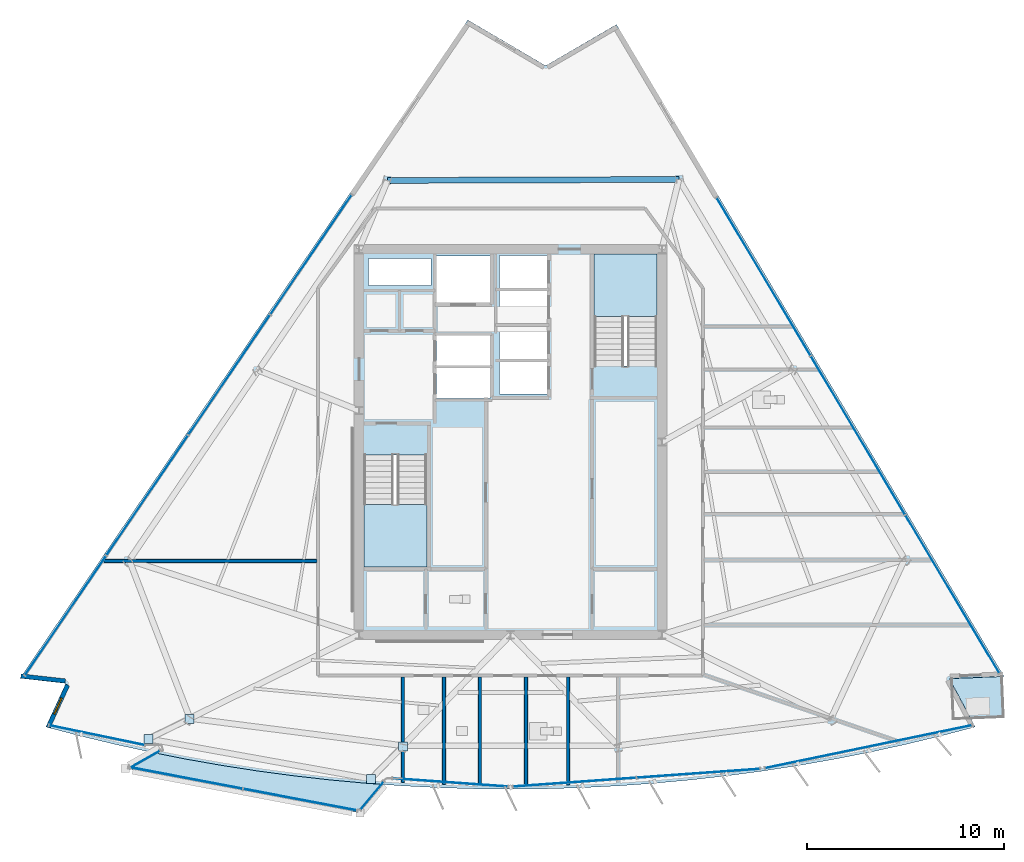
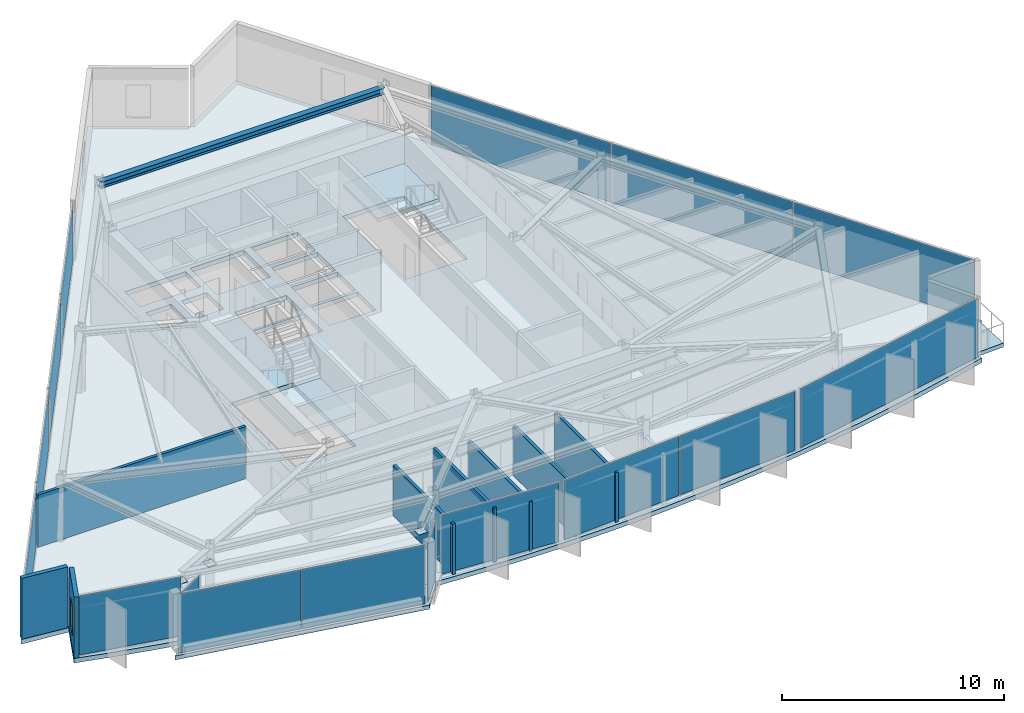
# One storey, part 6 of 14: 20 plates, 8 walls, 5 slabs, 1 beam, 1 window, 1 opening, 11 elements without a shape of their own.
"""IFC4 building model written with IfcOpenShell, lengths in metres."""

from ifc_helpers import new_model, si_unit, direction, frame, frame_2d, origin, origin_2d, place, context, subcontext, project, spatial, polyline, rectangle, i_section, outline, extrude, material, layer, layer_set, material_profile, profile_set, type_object, element, fill, aggregate, save


model = new_model("IFC4")

# Units and contexts
model_context = context("Model", 3, precision=1e-05, world=origin(), true_north=direction((0.0, 1.0)))
body_context = subcontext(model_context, "Body", "Model", "MODEL_VIEW")
ifc_project = project(units=[si_unit("LENGTHUNIT", "METRE"), si_unit("AREAUNIT", "SQUARE_METRE"), si_unit("VOLUMEUNIT", "CUBIC_METRE"), si_unit("PLANEANGLEUNIT", "RADIAN"), si_unit("MASSUNIT", "GRAM", prefix="KILO")], contexts=[model_context])

# Site, building, storey
site_placement = place(None, origin())
site = spatial("IfcSite", under=ifc_project, at=site_placement, CompositionType="ELEMENT")
building_placement = place(site_placement, origin())
building = spatial("IfcBuilding", under=site, at=building_placement, Name="Savorim Split Tower", CompositionType="ELEMENT")
storey_placement = place(building_placement, frame((0.0, 0.0, 227.10009765625)))
storey = spatial("IfcBuildingStorey", under=building, at=storey_placement, Name="L60", CompositionType="ELEMENT", Elevation=227.10009765625)

# Beam
ifc_material_1 = material(Name="Steel S355", Category="steel")
ifc_material_profile = material_profile(ifc_material_1, i_section(OverallWidth=0.300048828125, OverallDepth=0.35009765625, WebThickness=0.010009765625, FlangeThickness=0.017578125, FilletRadius=0.027099609375, at=origin_2d()), Name="HEA 360")
ifc_profile_set = profile_set([ifc_material_profile], Name="Steel S355")
beam_type = type_object("IfcBeamType", Name="BM-SPN-HEA360", PredefinedType="SPANDREL", material=ifc_profile_set)
beam_placement = place(storey_placement, frame((8.561279296875, 13.746826171875, 3.1748046875), z_axis=(-0.99999456544, -0.003296830296, 0.0), x_axis=(0.003296830296, -0.99999456544, 0.0)))
element("IfcBeam", 1, at=beam_placement, inside=storey, type_object=beam_type, Name="L60 Perimeter Spandrel Beam 7", PredefinedType="SPANDREL", context=body_context, shape_type="SweptSolid", body=[
    extrude(i_section(OverallWidth=0.300048828125, OverallDepth=0.35009765625, WebThickness=0.010009765625, FlangeThickness=0.017578125, FilletRadius=0.027099609375, at=origin_2d()), origin(), (0.0, 0.0, 1.0), 14.810546875),
])

# Curtain wall, plate
ifc_material_2 = material(Name="Dark Ceramic-Fritted Insulated Glass", Category="glass")
curtain_wall_type_1 = type_object("IfcCurtainWallType", Name="CW-TWR-FRIT-B", PredefinedType="NOTDEFINED", material=ifc_material_2)
curtain_wall_1_placement = place(storey_placement, origin())
curtain_wall_1 = element("IfcCurtainWall", 2, at=curtain_wall_1_placement, inside=storey, type_object=curtain_wall_type_1, Name="L60 Curtain Wall CW-L60-SF1A", PredefinedType="NOTDEFINED")
ifc_layer_1 = layer(ifc_material_2, 0.02587890625)
ifc_layer_set_1 = layer_set([ifc_layer_1], Name="CWP-FRITB-26")
plate_type_1 = type_object("IfcPlateType", Name="CWP-FRITB-26", PredefinedType="CURTAIN_PANEL", material=ifc_layer_set_1)
plate_1_placement = place(storey_placement, frame((-21.02978515625, -14.508056640625, 0.0498046875), z_axis=(0.0, 0.0, 1.0), x_axis=(0.979134728016, -0.203212165958, 0.0)))
plate_1 = element("IfcPlate", 3, at=plate_1_placement, type_object=plate_type_1, Name="CW-03 panel 1.1", PredefinedType="CURTAIN_PANEL", context=body_context, shape_type="SweptSolid", body=[
    extrude(rectangle(XDim=4.938720703125, YDim=0.02587890625, at=origin_2d()), origin(), (0.0, 0.0, 1.0), 3.25),
])
aggregate(curtain_wall_1, [plate_1])

curtain_wall_2_placement = place(storey_placement, origin())
curtain_wall_2 = element("IfcCurtainWall", 4, at=curtain_wall_2_placement, inside=storey, type_object=curtain_wall_type_1, Name="L60 Curtain Wall CW-L60-SF2A", PredefinedType="NOTDEFINED")
plate_2_placement = place(storey_placement, frame((-3.0654296875, -16.91259765625, 0.0498046875), z_axis=(0.0, 0.0, 1.0), x_axis=(0.997435751346, -0.071567603964, 0.0)))
plate_2 = element("IfcPlate", 5, at=plate_2_placement, type_object=plate_type_1, Name="CW-03 panel 1.1", PredefinedType="CURTAIN_PANEL", context=body_context, shape_type="SweptSolid", body=[
    extrude(rectangle(XDim=5.843505859375, YDim=0.02587890625, at=origin_2d()), origin(), (0.0, 0.0, 1.0), 3.25),
])
aggregate(curtain_wall_2, [plate_2])

# Curtain wall, plates
curtain_wall_3_placement = place(storey_placement, origin())
curtain_wall_3 = element("IfcCurtainWall", 6, at=curtain_wall_3_placement, inside=storey, type_object=curtain_wall_type_1, Name="L60 Curtain Wall CW-L60-SF3A", PredefinedType="NOTDEFINED")
plate_3_placement = place(storey_placement, frame((3.263916015625, -16.8984375, 0.0498046875), z_axis=(0.0, 0.0, 1.0), x_axis=(0.997436283282, 0.071560189997, 0.0)))
plate_3 = element("IfcPlate", 7, at=plate_3_placement, type_object=plate_type_1, Name="CW-03 panel 1.1", PredefinedType="CURTAIN_PANEL", context=body_context, shape_type="SweptSolid", body=[
    extrude(rectangle(XDim=6.24169921875, YDim=0.02587890625, at=origin_2d()), origin(), (0.0, 0.0, 1.0), 3.25),
])
plate_4_placement = place(storey_placement, frame((9.549560546875, -16.447509765625, 0.0498046875), z_axis=(0.0, 0.0, 1.0), x_axis=(0.997436283282, 0.071560189997, 0.0)))
plate_4 = element("IfcPlate", 8, at=plate_4_placement, type_object=plate_type_1, Name="CW-03 panel 2.1", PredefinedType="CURTAIN_PANEL", context=body_context, shape_type="SweptSolid", body=[
    extrude(rectangle(XDim=6.24169921875, YDim=0.02587890625, at=origin_2d()), origin(), (0.0, 0.0, 1.0), 3.25),
])
aggregate(curtain_wall_3, [plate_3, plate_4])

# Curtain wall, plate
curtain_wall_4_placement = place(storey_placement, origin())
curtain_wall_4 = element("IfcCurtainWall", 9, at=curtain_wall_4_placement, inside=storey, type_object=curtain_wall_type_1, Name="L60 Curtain Wall CW-L60-SF4A", PredefinedType="NOTDEFINED")
plate_5_placement = place(storey_placement, frame((18.205322265625, -15.09423828125, 0.0498046875), z_axis=(0.0, 0.0, 1.0), x_axis=(0.979134184169, 0.203214786352, 0.0)))
plate_5 = element("IfcPlate", 10, at=plate_5_placement, type_object=plate_type_1, Name="CW-03 panel 1.1", PredefinedType="CURTAIN_PANEL", context=body_context, shape_type="SweptSolid", body=[
    extrude(rectangle(XDim=10.70849609375, YDim=0.02587890625, at=origin_2d()), origin(), (0.0, 0.0, 1.0), 3.25),
])
aggregate(curtain_wall_4, [plate_5])

# Curtain wall, plates
curtain_wall_5_placement = place(storey_placement, origin())
curtain_wall_5 = element("IfcCurtainWall", 11, at=curtain_wall_5_placement, inside=storey, type_object=curtain_wall_type_1, Name="L60 Curtain Wall CW-L60-EAST", PredefinedType="NOTDEFINED")
plate_6_placement = place(storey_placement, frame((22.467041015625, -7.335205078125, 0.0498046875), z_axis=(0.0, 0.0, 1.0), x_axis=(-0.51109620442, 0.859523513249, 0.0)))
plate_6 = element("IfcPlate", 12, at=plate_6_placement, type_object=plate_type_1, Name="CW-03 panel 1.1", PredefinedType="CURTAIN_PANEL", context=body_context, shape_type="SweptSolid", body=[
    extrude(rectangle(XDim=9.3125, YDim=0.02587890625, at=origin_2d()), origin(), (0.0, 0.0, 1.0), 3.25),
])
plate_7_placement = place(storey_placement, frame((17.669189453125, 0.733642578125, 0.0498046875), z_axis=(0.0, 0.0, 1.0), x_axis=(-0.51109620442, 0.859523513249, 0.0)))
plate_7 = element("IfcPlate", 13, at=plate_7_placement, type_object=plate_type_1, Name="CW-03 panel 2.1", PredefinedType="CURTAIN_PANEL", context=body_context, shape_type="SweptSolid", body=[
    extrude(rectangle(XDim=9.342529296875, YDim=0.02587890625, at=origin_2d()), origin(), (0.0, 0.0, 1.0), 3.25),
])
plate_8_placement = place(storey_placement, frame((12.871337890625, 8.802490234375, 0.0498046875), z_axis=(0.0, 0.0, 1.0), x_axis=(-0.51109620442, 0.859523513249, 0.0)))
plate_8 = element("IfcPlate", 14, at=plate_8_placement, type_object=plate_type_1, Name="CW-03 panel 3.1", PredefinedType="CURTAIN_PANEL", context=body_context, shape_type="SweptSolid", body=[
    extrude(rectangle(XDim=9.3125, YDim=0.02587890625, at=origin_2d()), origin(), (0.0, 0.0, 1.0), 3.25),
])
aggregate(curtain_wall_5, [plate_6, plate_7, plate_8])

curtain_wall_6_placement = place(storey_placement, origin())
curtain_wall_6 = element("IfcCurtainWall", 15, at=curtain_wall_6_placement, inside=storey, type_object=curtain_wall_type_1, Name="L60 Curtain Wall CW-L60-WEST", PredefinedType="NOTDEFINED")
plate_9_placement = place(storey_placement, frame((-10.14208984375, 9.923583984375, 0.0498046875), z_axis=(0.0, 0.0, 1.0), x_axis=(-0.562466573779, -0.826820024782, 0.0)))
plate_9 = element("IfcPlate", 16, at=plate_9_placement, type_object=plate_type_1, Name="CW-03 panel 1.1", PredefinedType="CURTAIN_PANEL", context=body_context, shape_type="SweptSolid", body=[
    extrude(rectangle(XDim=7.317626953125, YDim=0.02587890625, at=origin_2d()), origin(), (0.0, 0.0, 1.0), 3.25),
])
plate_10_placement = place(storey_placement, frame((-14.300048828125, 3.811279296875, 0.0498046875), z_axis=(0.0, 0.0, 1.0), x_axis=(-0.562466573779, -0.826820024782, 0.0)))
plate_10 = element("IfcPlate", 17, at=plate_10_placement, type_object=plate_type_1, Name="CW-03 panel 2.1", PredefinedType="CURTAIN_PANEL", context=body_context, shape_type="SweptSolid", body=[
    extrude(rectangle(XDim=7.347412109375, YDim=0.02587890625, at=origin_2d()), origin(), (0.0, 0.0, 1.0), 3.25),
])
plate_11_placement = place(storey_placement, frame((-18.466552734375, -2.313232421875, 0.0498046875), z_axis=(0.0, 0.0, 1.0), x_axis=(-0.562466573779, -0.826820024782, 0.0)))
plate_11 = element("IfcPlate", 18, at=plate_11_placement, type_object=plate_type_1, Name="CW-03 panel 3.1", PredefinedType="CURTAIN_PANEL", context=body_context, shape_type="SweptSolid", body=[
    extrude(rectangle(XDim=7.347412109375, YDim=0.02587890625, at=origin_2d()), origin(), (0.0, 0.0, 1.0), 3.25),
])
plate_12_placement = place(storey_placement, frame((-22.62451171875, -8.425537109375, 0.0498046875), z_axis=(0.0, 0.0, 1.0), x_axis=(-0.562466573779, -0.826820024782, 0.0)))
plate_12 = element("IfcPlate", 19, at=plate_12_placement, type_object=plate_type_1, Name="CW-03 panel 4.1", PredefinedType="CURTAIN_PANEL", context=body_context, shape_type="SweptSolid", body=[
    extrude(rectangle(XDim=7.317626953125, YDim=0.02587890625, at=origin_2d()), origin(), (0.0, 0.0, 1.0), 3.25),
])
aggregate(curtain_wall_6, [plate_9, plate_10, plate_11, plate_12])

curtain_wall_type_2 = type_object("IfcCurtainWallType", Name="CW-BAY-LOUNGE", PredefinedType="NOTDEFINED", material=ifc_material_2)
curtain_wall_7_placement = place(storey_placement, origin())
curtain_wall_7 = element("IfcCurtainWall", 20, at=curtain_wall_7_placement, inside=storey, type_object=curtain_wall_type_2, Name="L60 Curtain Wall CW-L60-BAYF", PredefinedType="NOTDEFINED")
ifc_material_3 = material(Name="Low-E Operable Double Glazing", Category="glass")
ifc_layer_2 = layer(ifc_material_3, 0.031982421875)
ifc_layer_set_2 = layer_set([ifc_layer_2], Name="CWP-POD-32")
plate_type_2 = type_object("IfcPlateType", Name="CWP-POD-32", PredefinedType="CURTAIN_PANEL", material=ifc_layer_set_2)
plate_13_placement = place(storey_placement, frame((-16.515625, -16.68310546875, 0.0546875), z_axis=(0.0, 0.0, 1.0), x_axis=(0.982442225458, -0.186567075437, 0.0)))
plate_13 = element("IfcPlate", 21, at=plate_13_placement, type_object=plate_type_2, Name="CW-04 panel 1.1", PredefinedType="CURTAIN_PANEL", context=body_context, shape_type="SweptSolid", body=[
    extrude(rectangle(XDim=5.859375, YDim=0.031982421875, at=origin_2d()), origin(), (0.0, 0.0, 1.0), 3.239990234375),
])
plate_14_placement = place(storey_placement, frame((-10.6953125, -17.788330078125, 0.0546875), z_axis=(0.0, 0.0, 1.0), x_axis=(0.982442225458, -0.186567075437, 0.0)))
plate_14 = element("IfcPlate", 22, at=plate_14_placement, type_object=plate_type_2, Name="CW-04 panel 2.1", PredefinedType="CURTAIN_PANEL", context=body_context, shape_type="SweptSolid", body=[
    extrude(rectangle(XDim=5.859375, YDim=0.031982421875, at=origin_2d()), origin(), (0.0, 0.0, 1.0), 3.239990234375),
])
aggregate(curtain_wall_7, [plate_13, plate_14])

# Curtain wall, plate
curtain_wall_8_placement = place(storey_placement, origin())
curtain_wall_8 = element("IfcCurtainWall", 23, at=curtain_wall_8_placement, inside=storey, type_object=curtain_wall_type_2, Name="L60 Curtain Wall CW-L60-BAYW", PredefinedType="NOTDEFINED")
plate_15_placement = place(storey_placement, frame((-18.570068359375, -15.72998046875, 0.0546875), z_axis=(0.0, 0.0, 1.0), x_axis=(-0.868135811554, -0.49632671971, 0.0)))
plate_15 = element("IfcPlate", 24, at=plate_15_placement, type_object=plate_type_2, Name="CW-04 panel 1.1", PredefinedType="CURTAIN_PANEL", context=body_context, shape_type="SweptSolid", body=[
    extrude(rectangle(XDim=1.705078125, YDim=0.031982421875, at=origin_2d()), origin(), (0.0, 0.0, 1.0), 3.239990234375),
])
aggregate(curtain_wall_8, [plate_15])

curtain_wall_9_placement = place(storey_placement, origin())
curtain_wall_9 = element("IfcCurtainWall", 25, at=curtain_wall_9_placement, inside=storey, type_object=curtain_wall_type_2, Name="L60 Curtain Wall CW-L60-BAYE", PredefinedType="NOTDEFINED")
plate_16_placement = place(storey_placement, frame((-7.040283203125, -17.58544921875, 0.0546875), z_axis=(0.0, 0.0, 1.0), x_axis=(0.645008298218, 0.764175565711, 0.0)))
plate_16 = element("IfcPlate", 26, at=plate_16_placement, type_object=plate_type_2, Name="CW-04 panel 1.1", PredefinedType="CURTAIN_PANEL", context=body_context, shape_type="SweptSolid", body=[
    extrude(rectangle(XDim=1.81005859375, YDim=0.031982421875, at=origin_2d()), origin(), (0.0, 0.0, 1.0), 3.239990234375),
])
aggregate(curtain_wall_9, [plate_16])

# Plates
ifc_material_4 = material(Name="Steel S460", Category="steel")
ifc_layer_3 = layer(ifc_material_4, 0.02490234375)
ifc_layer_set_3 = layer_set([ifc_layer_3], Name="PLT-NODE-CN1")
plate_type_3 = type_object("IfcPlateType", Name="PLT-NODE-CN1", PredefinedType="SHEET", material=ifc_layer_set_3)
for number, where, z_axis, x_axis, name in (
    (27, (-16.323486328125, -13.692138671875, 2.4375), (0.0, 0.0, 1.0), (1.0, 0.0, 0.0), "L60 Bay Strut Column Gusset Plate 1"),
    (28, (-18.40625, -14.695556640625, 2.807373046875), (0.0, 0.0, 1.0), (1.0, 0.0, 0.0), "L60 Bay Strut Tip Gusset Plate 1"),
    (29, (-5.470947265625, -15.085693359375, 2.4375), (0.0, 0.0, 1.0), (1.0, 0.0, 0.0), "L60 Bay Strut Column Gusset Plate 2"),
    (30, (-7.09716796875, -16.73388671875, 2.807373046875), (0.0, 0.0, 1.0), (1.0, 0.0, 0.0), "L60 Bay Strut Tip Gusset Plate 2"),
):
    element("IfcPlate", number, at=place(storey_placement, frame(where, z_axis=z_axis, x_axis=x_axis)), inside=storey, type_object=plate_type_3, Name=name, PredefinedType="SHEET", context=body_context, shape_type="SweptSolid", body=[
        extrude(rectangle(XDim=0.4599609375, YDim=0.4599609375, at=origin_2d()), origin(), (0.0, 0.0, 1.0), 0.02490234375),
    ])

# Slabs
ifc_material_5 = material(Name="Concrete C50/60", Category="concrete")
ifc_layer_4 = layer(ifc_material_5, 0.219970703125)
ifc_layer_set_4 = layer_set([ifc_layer_4], Name="SLB-BAL-220")
slab_type_1 = type_object("IfcSlabType", Name="SLB-BAL-220", PredefinedType="FLOOR", material=ifc_layer_set_4)
slab_1_placement = place(storey_placement, frame((0.0, 0.0, -0.22021484375)))
element("IfcSlab", 31, at=slab_1_placement, inside=storey, type_object=slab_type_1, Name="L60 Cantilevered Shared Kitchen Lounge Slab", PredefinedType="FLOOR", context=body_context, shape_type="SweptSolid", body=[
    extrude(outline(polyline([(-6.430419921875, -17.017822265625), (-7.3486328125, -16.951904296875), (-9.179931640625, -16.78271484375), (-11.007568359375, -16.576171875), (-12.83056640625, -16.332275390625), (-14.648193359375, -16.051025390625), (-16.45947265625, -15.73291015625), (-18.18310546875, -15.393310546875), (-19.59423828125, -16.2001953125), (-7.654052734375, -18.467529296875), (-6.430419921875, -17.017822265625)])), origin(), (0.0, 0.0, 1.0), 0.22021484375),
])
slab_2_placement = place(storey_placement, frame((0.0, 0.0, -0.22021484375)))
element("IfcSlab", 32, at=slab_2_placement, inside=storey, type_object=slab_type_1, Name="L60 Notched Corner Planted Tree Balcony Slab", PredefinedType="FLOOR", context=body_context, shape_type="SweptSolid", body=[
    extrude(outline(polyline([(24.973388671875, -11.52685546875), (22.430908203125, -11.635009765625), (22.44091796875, -11.86669921875), (23.392822265625, -13.640869140625), (25.060546875, -13.56982421875), (24.973388671875, -11.52685546875)])), origin(), (0.0, 0.0, 1.0), 0.22021484375),
])

# Stair, slab
stair_type = type_object("IfcStairType", Name="STR-DOG-3600", PredefinedType="HALF_TURN_STAIR", material=ifc_material_5)
stair_1_placement = place(storey_placement, origin())
stair_1 = element("IfcStair", 33, at=stair_1_placement, inside=storey, type_object=stair_type, Name="L60 Core Protected Exit Stair ST-1", PredefinedType="HALF_TURN_STAIR")
ifc_layer_5 = layer(ifc_material_5, 0.199951171875)
ifc_layer_set_5 = layer_set([ifc_layer_5], Name="SLB-LND-200")
slab_type_2 = type_object("IfcSlabType", Name="SLB-LND-200", PredefinedType="LANDING", material=ifc_layer_set_5)
slab_3_placement = place(storey_placement, frame((0.0, 0.0, 1.599853515625)))
slab_3 = element("IfcSlab", 34, at=slab_3_placement, type_object=slab_type_2, Name="ST-1 landing 1", PredefinedType="LANDING", context=body_context, shape_type="SweptSolid", body=[
    extrude(outline(polyline([(-7.449951171875, -2.77001953125), (-7.449951171875, -5.949951171875), (-4.25, -5.949951171875), (-4.25, -2.77001953125), (-7.449951171875, -2.77001953125)])), origin(), (0.0, 0.0, 1.0), 0.199951171875),
])
aggregate(stair_1, [slab_3])

stair_2_placement = place(storey_placement, origin())
stair_2 = element("IfcStair", 35, at=stair_2_placement, inside=storey, type_object=stair_type, Name="L60 Core Protected Exit Stair ST-2", PredefinedType="HALF_TURN_STAIR")
slab_4_placement = place(storey_placement, frame((0.0, 0.0, 1.599853515625)))
slab_4 = element("IfcSlab", 36, at=slab_4_placement, type_object=slab_type_2, Name="ST-2 landing 1", PredefinedType="LANDING", context=body_context, shape_type="SweptSolid", body=[
    extrude(outline(polyline([(7.449951171875, 6.77001953125), (7.449951171875, 9.949951171875), (4.25, 9.949951171875), (4.25, 6.77001953125), (7.449951171875, 6.77001953125)])), origin(), (0.0, 0.0, 1.0), 0.199951171875),
])
aggregate(stair_2, [slab_4])

# Slab
ifc_layer_6 = layer(ifc_material_5, 0.25)
ifc_layer_set_6 = layer_set([ifc_layer_6], Name="SLB-TWR-250")
slab_type_3 = type_object("IfcSlabType", Name="SLB-TWR-250", PredefinedType="FLOOR", material=ifc_layer_set_6)
slab_5_placement = place(storey_placement, frame((0.0, 0.0, -0.25)))
element("IfcSlab", 37, at=slab_5_placement, inside=storey, type_object=slab_type_3, Name="L60 Structural Floor Slab", PredefinedType="FLOOR", context=body_context, shape_type="SweptSolid", body=[
    extrude(outline(polyline([(-23.62890625, -14.09130859375), (-21.849609375, -14.556396484375), (-20.06103515625, -14.9853515625), (-18.26416015625, -15.37744140625), (-16.45947265625, -15.73291015625), (-14.648193359375, -16.051025390625), (-12.83056640625, -16.332275390625), (-11.007568359375, -16.576171875), (-9.179931640625, -16.78271484375), (-7.3486328125, -16.951904296875), (-5.51416015625, -17.08349609375), (-3.677490234375, -17.177490234375), (-1.839111328125, -17.23388671875), (0.0, -17.252685546875), (1.839111328125, -17.23388671875), (3.677490234375, -17.177490234375), (5.51416015625, -17.08349609375), (7.3486328125, -16.951904296875), (9.179931640625, -16.78271484375), (11.007568359375, -16.576171875), (12.83056640625, -16.332275390625), (14.648193359375, -16.051025390625), (16.45947265625, -15.73291015625), (18.26416015625, -15.37744140625), (20.06103515625, -14.9853515625), (21.849609375, -14.556396484375), (23.62890625, -14.09130859375), (22.310791015625, -11.635009765625), (25.09326171875, -11.5166015625), (5.38623046875, 21.625244140625), (1.788818359375, 19.528564453125), (-2.17041015625, 21.85546875), (-24.939208984375, -11.61474609375), (-22.6103515625, -11.874755859375), (-23.62890625, -14.09130859375)]), holes=[polyline([(-7.449951171875, -0.25390625), (-7.449951171875, -5.949951171875), (-4.25, -5.949951171875), (-4.25, -0.25390625), (-7.449951171875, -0.25390625)]), polyline([(7.449951171875, 4.25390625), (7.449951171875, 9.949951171875), (4.25, 9.949951171875), (4.25, 4.25390625), (7.449951171875, 4.25390625)]), polyline([(-0.550048828125, 2.830078125), (1.85009765625, 2.830078125), (1.85009765625, 4.469970703125), (-0.550048828125, 4.469970703125), (-0.550048828125, 2.830078125)]), polyline([(-0.550048828125, 4.6298828125), (1.85009765625, 4.6298828125), (1.85009765625, 6.27001953125), (-0.550048828125, 6.27001953125), (-0.550048828125, 4.6298828125)]), polyline([(-0.550048828125, 6.429931640625), (1.85009765625, 6.429931640625), (1.85009765625, 8.070068359375), (-0.550048828125, 8.070068359375), (-0.550048828125, 6.429931640625)]), polyline([(-0.550048828125, 8.22998046875), (1.85009765625, 8.22998046875), (1.85009765625, 9.8701171875), (-0.550048828125, 9.8701171875), (-0.550048828125, 8.22998046875)]), polyline([(-3.75, 2.60009765625), (-1.050048828125, 2.60009765625), (-1.050048828125, 4.159912109375), (-3.75, 4.159912109375), (-3.75, 2.60009765625)]), polyline([(-3.75, 4.280029296875), (-1.050048828125, 4.280029296875), (-1.050048828125, 5.840087890625), (-3.75, 5.840087890625), (-3.75, 4.280029296875)]), polyline([(-3.75, 7.449951171875), (-0.949951171875, 7.449951171875), (-0.949951171875, 9.85009765625), (-3.75, 9.85009765625), (-3.75, 7.449951171875)]), polyline([(-7.219970703125, 6.320068359375), (-5.919921875, 6.320068359375), (-5.919921875, 7.820068359375), (-7.219970703125, 7.820068359375), (-7.219970703125, 6.320068359375)]), polyline([(-5.3798828125, 6.320068359375), (-4.050048828125, 6.320068359375), (-4.050048828125, 7.820068359375), (-5.3798828125, 7.820068359375), (-5.3798828125, 6.320068359375)]), polyline([(-7.219970703125, 8.360107421875), (-4.050048828125, 8.360107421875), (-4.050048828125, 9.719970703125), (-7.219970703125, 9.719970703125), (-7.219970703125, 8.360107421875)])]), origin(), (0.0, 0.0, 1.0), 0.25),
])

# Wall
ifc_material_6 = material(Name="Precast concrete C40/50", Category="concrete")
ifc_layer_7 = layer(ifc_material_6, 0.219970703125)
ifc_layer_set_7 = layer_set([ifc_layer_7], Name="WAL-EXT-CRN220")
wall_type_1 = type_object("IfcWallType", Name="WAL-EXT-CRN220", PredefinedType="SOLIDWALL", material=ifc_layer_set_7)
wall_1_placement = place(storey_placement, frame((-22.63671875, -11.751220703125, 0.0), z_axis=(0.0, 0.0, 1.0), x_axis=(-0.993821756753, 0.110987908368, 0.0)))
element("IfcWall", 38, at=wall_1_placement, inside=storey, type_object=wall_type_1, Name="L60 Notched Corner Facade Wall SW1", PredefinedType="SOLIDWALL", context=body_context, shape_type="SweptSolid", body=[
    extrude(rectangle(XDim=2.263427734375, YDim=0.219970703125, at=frame_2d((1.1318359375, 0.0))), origin(), (0.0, 0.0, 1.0), 3.349853515625),
])

# Wall, opening, window
wall_2_placement = place(storey_placement, frame((-23.503173828125, -14.10498046875, 0.0), z_axis=(0.0, 0.0, 1.0), x_axis=(0.417541737863, 0.908657744777, 0.0)))
wall_2 = element("IfcWall", 39, at=wall_2_placement, inside=storey, type_object=wall_type_1, Name="L60 Notched Corner Facade Wall SW", PredefinedType="SOLIDWALL", context=body_context, shape_type="SweptSolid", body=[
    extrude(rectangle(XDim=2.359375, YDim=0.219970703125, at=frame_2d((1.1796875, 0.0))), origin(), (0.0, 0.0, 1.0), 3.349853515625),
])
opening_placement = place(wall_2_placement, frame((0.7294921875, 0.0, 0.6201171875)))
opening = element("IfcOpeningElement", 40, at=opening_placement, cuts=wall_2, Name="Opening WN-10", PredefinedType="OPENING", context=body_context, shape_type="SweptSolid", body=[
    extrude(rectangle(XDim=0.89990234375, YDim=1.60009765625, at=frame_2d((0.449951171875, 0.800048828125))), frame((0.0, 0.119873046875, 0.0), z_axis=(0.0, -1.0, 0.0), x_axis=(1.0, 0.0, 0.0)), (0.0, 0.0, 1.0), 0.239990234375),
])
window_type = type_object("IfcWindowType", Name="WIN-TWR-900x1600", PartitioningType="SINGLE_PANEL", PredefinedType="WINDOW", material=ifc_material_3)
window_placement = place(opening_placement, origin())
window = element("IfcWindow", 41, at=window_placement, inside=storey, type_object=window_type, Name="L60 Operable Corner Window SW", OverallHeight=1.60009765625, OverallWidth=0.89990234375, PartitioningType="SINGLE_PANEL", PredefinedType="WINDOW", context=body_context, shape_type="SweptSolid", body=[
    extrude(rectangle(XDim=0.89990234375, YDim=1.60009765625, at=frame_2d((0.449951171875, 0.800048828125))), frame((0.0, 0.030029296875, 0.0), z_axis=(0.0, -1.0, 0.0), x_axis=(1.0, 0.0, 0.0)), (0.0, 0.0, 1.0), 0.06005859375),
])
fill(opening, window)

# Walls
ifc_material_7 = material(Name="Acoustic Gypsum Partition Board")
ifc_layer_8 = layer(ifc_material_7, 0.14990234375)
ifc_layer_set_8 = layer_set([ifc_layer_8], Name="WAL-PAR-150")
wall_type_2 = type_object("IfcWallType", Name="WAL-PAR-150", PredefinedType="PARTITIONING", material=ifc_layer_set_8)
wall_3_placement = place(storey_placement, frame((-5.475341796875, -11.5400390625, 0.0), z_axis=(0.0, 0.0, 1.0), x_axis=(0.0, -1.0, 0.0)))
element("IfcWall", 42, at=wall_3_placement, inside=storey, type_object=wall_type_2, Name="L60 Partition W-L60-PRAD02", PredefinedType="PARTITIONING", context=body_context, shape_type="SweptSolid", body=[
    extrude(rectangle(XDim=5.375244140625, YDim=0.14990234375, at=frame_2d((2.6875, 0.0))), origin(), (0.0, 0.0, 1.0), 2.77490234375),
])
wall_4_placement = place(storey_placement, frame((-9.840087890625, -5.6513671875, 0.0), z_axis=(0.0, 0.0, 1.0), x_axis=(-1.0, 0.0, 0.0)))
element("IfcWall", 43, at=wall_4_placement, inside=storey, type_object=wall_type_2, Name="L60 Partition W-L60-PRAD10", PredefinedType="PARTITIONING", context=body_context, shape_type="SweptSolid", body=[
    extrude(rectangle(XDim=10.8369140625, YDim=0.14990234375, at=frame_2d((5.41845703125, 0.0))), origin(), (0.0, 0.0, 1.0), 2.875),
])
wall_5_placement = place(storey_placement, frame((0.784912109375, -11.5400390625, 0.0), z_axis=(0.0, 0.0, 1.0), x_axis=(0.0, -1.0, 0.0)))
element("IfcWall", 44, at=wall_5_placement, inside=storey, type_object=wall_type_2, Name="L60 Partition W-L60-SUB01", PredefinedType="PARTITIONING", context=body_context, shape_type="SweptSolid", body=[
    extrude(rectangle(XDim=5.53466796875, YDim=0.14990234375, at=frame_2d((2.767333984375, 0.0))), origin(), (0.0, 0.0, 1.0), 2.724853515625),
])
wall_6_placement = place(storey_placement, frame((-1.560302734375, -11.5400390625, 0.0), z_axis=(0.0, 0.0, 1.0), x_axis=(0.0, -1.0, 0.0)))
element("IfcWall", 45, at=wall_6_placement, inside=storey, type_object=wall_type_2, Name="L60 Partition W-L60-SUB03", PredefinedType="PARTITIONING", context=body_context, shape_type="SweptSolid", body=[
    extrude(rectangle(XDim=5.52685546875, YDim=0.14990234375, at=frame_2d((2.763427734375, 0.0))), origin(), (0.0, 0.0, 1.0), 2.724853515625),
])
wall_7_placement = place(storey_placement, frame((2.935302734375, -11.5400390625, 0.0), z_axis=(0.0, 0.0, 1.0), x_axis=(0.0, -1.0, 0.0)))
element("IfcWall", 46, at=wall_7_placement, inside=storey, type_object=wall_type_2, Name="L60 Partition W-L60-SUB04", PredefinedType="PARTITIONING", context=body_context, shape_type="SweptSolid", body=[
    extrude(rectangle(XDim=5.490234375, YDim=0.14990234375, at=frame_2d((2.7451171875, 0.0))), origin(), (0.0, 0.0, 1.0), 2.724853515625),
])
wall_8_placement = place(storey_placement, frame((-3.3828125, -11.5400390625, 0.0), z_axis=(0.0, 0.0, 1.0), x_axis=(0.0, -1.0, 0.0)))
element("IfcWall", 47, at=wall_8_placement, inside=storey, type_object=wall_type_2, Name="L60 Partition W-L60-SUB09", PredefinedType="PARTITIONING", context=body_context, shape_type="SweptSolid", body=[
    extrude(rectangle(XDim=5.4765625, YDim=0.14990234375, at=frame_2d((2.73828125, 0.0))), origin(), (0.0, 0.0, 1.0), 2.974853515625),
])

save(model, "model.ifc")
